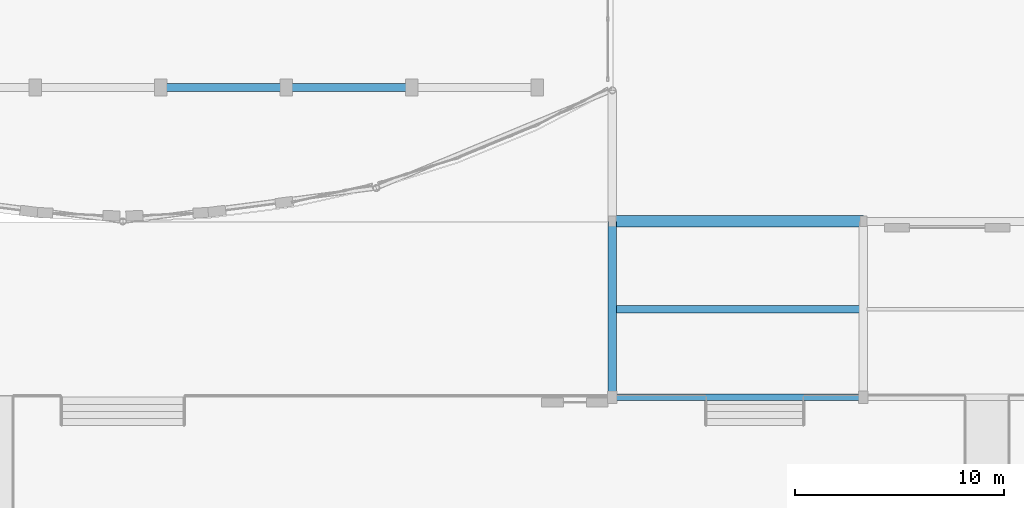
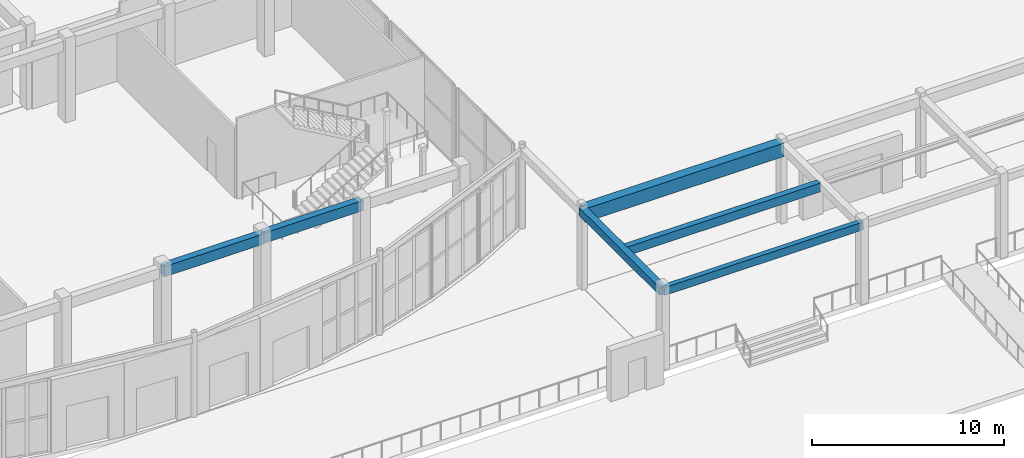
# One storey, part 13 of 98: 6 beams.
"""IFC4 building model written with IfcOpenShell, lengths in metres."""

from ifc_helpers import new_model, si_unit, direction, frame, origin, origin_2d, place, context, subcontext, project, spatial, rectangle, extrude, material, material_profile, profile_set, type_object, element, save


model = new_model("IFC4")

# Units and contexts
model_context = context("Model", 3, precision=1e-05, world=origin(), true_north=direction((0.0, 1.0)))
body_context = subcontext(model_context, "Body", "Model", "MODEL_VIEW")
ifc_project = project(units=[si_unit("LENGTHUNIT", "METRE"), si_unit("AREAUNIT", "SQUARE_METRE"), si_unit("VOLUMEUNIT", "CUBIC_METRE"), si_unit("PLANEANGLEUNIT", "RADIAN"), si_unit("MASSUNIT", "GRAM", prefix="KILO")], contexts=[model_context])

# Site, building, storey
site_placement = place(None, origin())
site = spatial("IfcSite", under=ifc_project, at=site_placement, CompositionType="ELEMENT")
building_placement = place(site_placement, origin())
building = spatial("IfcBuilding", under=site, at=building_placement, Name="Tarnavel Promenade Courthouse", CompositionType="ELEMENT")
storey_placement = place(building_placement, origin())
storey = spatial("IfcBuildingStorey", under=building, at=storey_placement, Name="L01", CompositionType="ELEMENT", Elevation=0.0)

# Beams
ifc_material = material(Name="Concrete C40/50", Category="concrete")
ifc_material_profile_1 = material_profile(ifc_material, rectangle(XDim=0.35009765625, YDim=0.550048828125, at=origin_2d()), Name="PT 350x550")
ifc_profile_set_1 = profile_set([ifc_material_profile_1], Name="Concrete C40/50")
beam_type_1 = type_object("IfcBeamType", Name="Concrete C40/50 BM-PT-350x550 (PT 350x550)", PredefinedType="JOIST", material=ifc_profile_set_1)
beam_1_placement = place(storey_placement, frame((55.3701171875, 4.199951171875, 4.860107421875), z_axis=(1.0, 0.0, 0.0), x_axis=(0.0, 1.0, 0.0)))
element("IfcBeam", 1, at=beam_1_placement, inside=storey, type_object=beam_type_1, Name="L01 Secondary Floor Rib 0891", PredefinedType="JOIST", context=body_context, shape_type="SweptSolid", body=[
    extrude(rectangle(XDim=0.35009765625, YDim=0.550048828125, at=origin_2d()), origin(), (0.0, 0.0, 1.0), 11.659912109375),
])
ifc_material_profile_2 = material_profile(ifc_material, rectangle(XDim=0.550048828125, YDim=0.85009765625, at=origin_2d()), Name="PT 550x850")
ifc_profile_set_2 = profile_set([ifc_material_profile_2], Name="Concrete C40/50")
beam_type_2 = type_object("IfcBeamType", Name="Concrete C40/50 BM-PT-550x850 (PT 550x850)", PredefinedType="T_BEAM", material=ifc_profile_set_2)
beam_2_placement = place(storey_placement, frame((55.199951171875, 8.39990234375, 4.7099609375), z_axis=(1.0, 0.0, 0.0), x_axis=(0.0, 1.0, 0.0)))
element("IfcBeam", 2, at=beam_2_placement, inside=storey, type_object=beam_type_2, Name="L01 Primary Longitudinal Beam 0570", PredefinedType="T_BEAM", context=body_context, shape_type="SweptSolid", body=[
    extrude(rectangle(XDim=0.550048828125, YDim=0.85009765625, at=origin_2d()), origin(), (0.0, 0.0, 1.0), 12.0),
])
ifc_material_profile_3 = material_profile(ifc_material, rectangle(XDim=0.39990234375, YDim=0.5, at=origin_2d()), Name="RC 400x500")
ifc_profile_set_3 = profile_set([ifc_material_profile_3], Name="Concrete C40/50")
beam_type_3 = type_object("IfcBeamType", Name="Concrete C40/50 BM-RC-400x500 (RC 400x500)", PredefinedType="BEAM", material=ifc_profile_set_3)
beam_3_placement = place(storey_placement, frame((55.199951171875, 0.0, 4.885009765625), z_axis=(0.0, 1.0, 0.0), x_axis=(-1.0, 0.0, 0.0)))
element("IfcBeam", 3, at=beam_3_placement, inside=storey, type_object=beam_type_3, Name="L01 Transverse Girder 0787", PredefinedType="BEAM", context=body_context, shape_type="SweptSolid", body=[
    extrude(rectangle(XDim=0.39990234375, YDim=0.5, at=origin_2d()), origin(), (0.0, 0.0, 1.0), 8.39990234375),
])
ifc_material_profile_4 = material_profile(ifc_material, rectangle(XDim=0.39990234375, YDim=0.64990234375, at=origin_2d()), Name="RC 400x650")
ifc_profile_set_4 = profile_set([ifc_material_profile_4], Name="Concrete C40/50")
beam_type_4 = type_object("IfcBeamType", Name="Concrete C40/50 BM-RC-400x650 (RC 400x650)", PredefinedType="BEAM", material=ifc_profile_set_4)
for number, where, z_axis, x_axis, name in (
    (4, (33.60009765625, 14.800048828125, 4.77001953125), (1.0, 0.0, 0.0), (0.0, 1.0, 0.0), "L01 Primary Longitudinal Beam 0584"),
    (5, (39.60009765625, 14.800048828125, 4.81005859375), (1.0, 0.0, 0.0), (0.0, 1.0, 0.0), "L01 Primary Longitudinal Beam 0585"),
):
    element("IfcBeam", number, at=place(storey_placement, frame(where, z_axis=z_axis, x_axis=x_axis)), inside=storey, type_object=beam_type_4, Name=name, PredefinedType="BEAM", context=body_context, shape_type="SweptSolid", body=[
        extrude(rectangle(XDim=0.39990234375, YDim=0.64990234375, at=origin_2d()), origin(), (0.0, 0.0, 1.0), 6.0),
    ])
ifc_material_profile_5 = material_profile(ifc_material, rectangle(XDim=0.300048828125, YDim=0.5, at=origin_2d()), Name="RC 300x500")
ifc_profile_set_5 = profile_set([ifc_material_profile_5], Name="Concrete C40/50")
beam_type_5 = type_object("IfcBeamType", Name="Concrete C40/50 BM-SP-300x500 (RC 300x500)", PredefinedType="SPANDREL", material=ifc_profile_set_5)
beam_4_placement = place(storey_placement, frame((55.199951171875, 0.0, 4.885009765625), z_axis=(1.0, 0.0, 0.0), x_axis=(0.0, 1.0, 0.0)))
element("IfcBeam", 6, at=beam_4_placement, inside=storey, type_object=beam_type_5, Name="L01 Primary Longitudinal Beam 0559", PredefinedType="SPANDREL", context=body_context, shape_type="SweptSolid", body=[
    extrude(rectangle(XDim=0.300048828125, YDim=0.5, at=origin_2d()), origin(), (0.0, 0.0, 1.0), 12.0),
])

save(model, "model.ifc")
